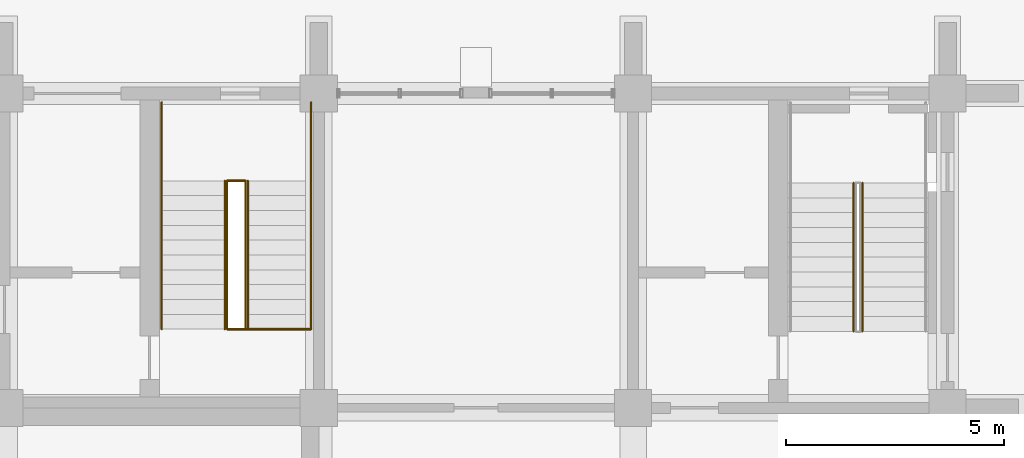
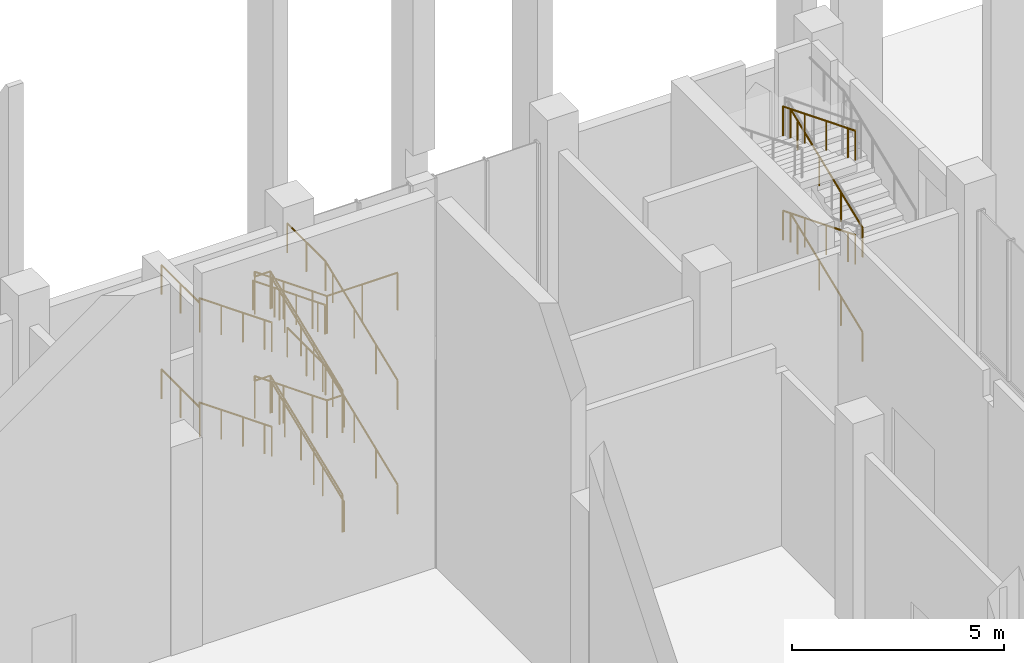
# One storey, part 49 of 50: 12 railings.
"""IFC4 building model written with IfcOpenShell, lengths in metres."""

from ifc_helpers import new_model, si_unit, direction, frame, origin, origin_2d, place, context, subcontext, project, spatial, circle, extrude, material, type_object, element, save


model = new_model("IFC4")

# Units and contexts
model_context = context("Model", 3, precision=1e-05, world=origin(), true_north=direction((0.0, 1.0)))
body_context = subcontext(model_context, "Body", "Model", "MODEL_VIEW")
ifc_project = project(units=[si_unit("LENGTHUNIT", "METRE"), si_unit("AREAUNIT", "SQUARE_METRE"), si_unit("VOLUMEUNIT", "CUBIC_METRE"), si_unit("PLANEANGLEUNIT", "RADIAN"), si_unit("MASSUNIT", "GRAM", prefix="KILO")], contexts=[model_context])

# Site, building, storey
site_placement = place(None, origin())
site = spatial("IfcSite", under=ifc_project, at=site_placement, CompositionType="ELEMENT")
building_placement = place(site_placement, origin())
building = spatial("IfcBuilding", under=site, at=building_placement, Name="Silangan Lancet Faculty of Sciences", CompositionType="ELEMENT")
storey_placement = place(building_placement, origin())
storey = spatial("IfcBuildingStorey", under=building, at=storey_placement, Name="L00", CompositionType="ELEMENT", Elevation=0.0)

# Railings
ifc_material_1 = material(Name="Steel balustrade", Category="steel")
railing_type_1 = type_object("IfcRailingType", Name="STAIR GUARD 1100", PredefinedType="GUARDRAIL", material=ifc_material_1)
railing_1_placement = place(storey_placement, frame((70.324951171875, 52.199951171875, 0.136474609375)))
element("IfcRailing", 1, at=railing_1_placement, inside=storey, type_object=railing_type_1, Name="GUARD-NAB-B-L00", PredefinedType="GUARDRAIL", context=body_context, shape_type="SweptSolid", body=[
    extrude(circle(Radius=0.02392578125, at=origin_2d()), frame((0.0, 0.0, 1.076171875), z_axis=(0.0, 0.928154623156, 0.372194835421), x_axis=(-1.0, 0.0, 0.0)), (0.0, 0.0, 1.0), 1.46533203125),
    extrude(circle(Radius=0.02392578125, at=origin_2d()), frame((0.0, 1.360107421875, 1.62158203125), z_axis=(0.0, 0.928131538224, 0.372252397916), x_axis=(-1.0, 0.0, 0.0)), (0.0, 0.0, 1.0), 1.465087890625),
    extrude(circle(Radius=0.02392578125, at=origin_2d()), frame((0.0, 2.719970703125, 2.1669921875), z_axis=(0.0, 0.928177697381, 0.372137289295), x_axis=(-1.0, 0.0, 0.0)), (0.0, 0.0, 1.0), 0.73291015625),
    extrude(circle(Radius=0.02392578125, at=origin_2d()), frame((0.0, 3.400146484375, 2.439453125), z_axis=(-1.0, 0.0, 0.0), x_axis=(0.0, -1.0, 0.0)), (0.0, 0.0, 1.0), 0.425048828125),
    extrude(circle(Radius=0.02392578125, at=origin_2d()), frame((-0.425048828125, 3.400146484375, 2.439453125), z_axis=(0.0, 0.0, 1.0), x_axis=(1.0, 0.0, 0.0)), (0.0, 0.0, 1.0), 0.136474609375),
    extrude(circle(Radius=0.02392578125, at=origin_2d()), frame((-0.425048828125, 3.400146484375, 2.576171875), z_axis=(0.0, -0.928154623156, 0.372194835421), x_axis=(1.0, 0.0, 0.0)), (0.0, 0.0, 1.0), 1.46533203125),
    extrude(circle(Radius=0.02392578125, at=origin_2d()), frame((-0.425048828125, 2.0400390625, 3.12158203125), z_axis=(0.0, -0.928154623156, 0.372194835421), x_axis=(1.0, 0.0, 0.0)), (0.0, 0.0, 1.0), 1.46533203125),
    extrude(circle(Radius=0.02392578125, at=origin_2d()), frame((-0.425048828125, 0.679931640625, 3.6669921875), z_axis=(0.0, -0.928131538224, 0.372252397916), x_axis=(1.0, 0.0, 0.0)), (0.0, 0.0, 1.0), 0.732666015625),
    extrude(circle(Radius=0.02392578125, at=origin_2d()), frame((-0.425048828125, 0.0, 3.939453125), z_axis=(1.0, 0.0, 0.0), x_axis=(0.0, 1.0, 0.0)), (0.0, 0.0, 1.0), 0.425048828125),
    extrude(circle(Radius=0.02392578125, at=origin_2d()), frame((0.0, 0.0, 3.939453125), z_axis=(0.0, 0.0, 1.0), x_axis=(1.0, 0.0, 0.0)), (0.0, 0.0, 1.0), 0.136474609375),
    extrude(circle(Radius=0.02392578125, at=origin_2d()), frame((0.0, 0.0, 4.076171875), z_axis=(0.0, 0.928154623156, 0.372194835421), x_axis=(-1.0, 0.0, 0.0)), (0.0, 0.0, 1.0), 1.46533203125),
    extrude(circle(Radius=0.02392578125, at=origin_2d()), frame((0.0, 1.360107421875, 4.62158203125), z_axis=(0.0, 0.928131538224, 0.372252397916), x_axis=(-1.0, 0.0, 0.0)), (0.0, 0.0, 1.0), 1.465087890625),
    extrude(circle(Radius=0.02392578125, at=origin_2d()), frame((0.0, 2.719970703125, 5.1669921875), z_axis=(0.0, 0.928177697381, 0.372137289295), x_axis=(-1.0, 0.0, 0.0)), (0.0, 0.0, 1.0), 0.73291015625),
    extrude(circle(Radius=0.02392578125, at=origin_2d()), frame((0.0, 3.400146484375, 5.439453125), z_axis=(-1.0, 0.0, 0.0), x_axis=(0.0, -1.0, 0.0)), (0.0, 0.0, 1.0), 0.425048828125),
    extrude(circle(Radius=0.02392578125, at=origin_2d()), frame((-0.425048828125, 3.400146484375, 5.439453125), z_axis=(0.0, 0.0, 1.0), x_axis=(1.0, 0.0, 0.0)), (0.0, 0.0, 1.0), 0.136474609375),
    extrude(circle(Radius=0.02392578125, at=origin_2d()), frame((-0.425048828125, 3.400146484375, 5.576171875), z_axis=(0.0, -0.928154623156, 0.372194835421), x_axis=(1.0, 0.0, 0.0)), (0.0, 0.0, 1.0), 1.46533203125),
    extrude(circle(Radius=0.02392578125, at=origin_2d()), frame((-0.425048828125, 2.0400390625, 6.12158203125), z_axis=(0.0, -0.928154623156, 0.372194835421), x_axis=(1.0, 0.0, 0.0)), (0.0, 0.0, 1.0), 1.46533203125),
    extrude(circle(Radius=0.02392578125, at=origin_2d()), frame((-0.425048828125, 0.679931640625, 6.6669921875), z_axis=(0.0, -0.928131538224, 0.372252397916), x_axis=(1.0, 0.0, 0.0)), (0.0, 0.0, 1.0), 0.732666015625),
    extrude(circle(Radius=0.02392578125, at=origin_2d()), frame((-0.425048828125, 0.0, 6.939453125), z_axis=(1.0, 0.0, 0.0), x_axis=(0.0, 1.0, 0.0)), (0.0, 0.0, 1.0), 1.925048828125),
    extrude(circle(Radius=0.02099609375, at=origin_2d()), origin(), (0.0, 0.0, 1.0), 1.052001953125),
    extrude(circle(Radius=0.02099609375, at=origin_2d()), frame((0.0, 1.360107421875, 0.54541015625)), (0.0, 0.0, 1.0), 1.052001953125),
    extrude(circle(Radius=0.02099609375, at=origin_2d()), frame((0.0, 2.719970703125, 1.0908203125)), (0.0, 0.0, 1.0), 1.052001953125),
    extrude(circle(Radius=0.02099609375, at=origin_2d()), frame((0.0, 3.400146484375, 1.363525390625)), (0.0, 0.0, 1.0), 1.052001953125),
    extrude(circle(Radius=0.02099609375, at=origin_2d()), frame((-0.425048828125, 3.400146484375, 1.363525390625)), (0.0, 0.0, 1.0), 1.052001953125),
    extrude(circle(Radius=0.02099609375, at=origin_2d()), frame((-0.425048828125, 3.400146484375, 1.5)), (0.0, 0.0, 1.0), 1.052001953125),
    extrude(circle(Radius=0.02099609375, at=origin_2d()), frame((-0.425048828125, 2.0400390625, 2.04541015625)), (0.0, 0.0, 1.0), 1.052001953125),
    extrude(circle(Radius=0.02099609375, at=origin_2d()), frame((-0.425048828125, 0.679931640625, 2.5908203125)), (0.0, 0.0, 1.0), 1.052001953125),
    extrude(circle(Radius=0.02099609375, at=origin_2d()), frame((-0.425048828125, 0.0, 2.863525390625)), (0.0, 0.0, 1.0), 1.052001953125),
    extrude(circle(Radius=0.02099609375, at=origin_2d()), frame((0.0, 0.0, 2.863525390625)), (0.0, 0.0, 1.0), 1.052001953125),
    extrude(circle(Radius=0.02099609375, at=origin_2d()), frame((0.0, 0.0, 3.0)), (0.0, 0.0, 1.0), 1.052001953125),
    extrude(circle(Radius=0.02099609375, at=origin_2d()), frame((0.0, 1.360107421875, 3.54541015625)), (0.0, 0.0, 1.0), 1.052001953125),
    extrude(circle(Radius=0.02099609375, at=origin_2d()), frame((0.0, 2.719970703125, 4.0908203125)), (0.0, 0.0, 1.0), 1.052001953125),
    extrude(circle(Radius=0.02099609375, at=origin_2d()), frame((0.0, 3.400146484375, 4.363525390625)), (0.0, 0.0, 1.0), 1.052001953125),
    extrude(circle(Radius=0.02099609375, at=origin_2d()), frame((-0.425048828125, 3.400146484375, 4.363525390625)), (0.0, 0.0, 1.0), 1.052001953125),
    extrude(circle(Radius=0.02099609375, at=origin_2d()), frame((-0.425048828125, 3.400146484375, 4.5)), (0.0, 0.0, 1.0), 1.052001953125),
    extrude(circle(Radius=0.02099609375, at=origin_2d()), frame((-0.425048828125, 2.0400390625, 5.04541015625)), (0.0, 0.0, 1.0), 1.052001953125),
    extrude(circle(Radius=0.02099609375, at=origin_2d()), frame((-0.425048828125, 0.679931640625, 5.5908203125)), (0.0, 0.0, 1.0), 1.052001953125),
    extrude(circle(Radius=0.02099609375, at=origin_2d()), frame((-0.425048828125, 0.0, 5.863525390625)), (0.0, 0.0, 1.0), 1.052001953125),
    extrude(circle(Radius=0.02099609375, at=origin_2d()), frame((0.53759765625, 0.0, 5.863525390625)), (0.0, 0.0, 1.0), 1.052001953125),
    extrude(circle(Radius=0.02099609375, at=origin_2d()), frame((1.5, 0.0, 5.863525390625)), (0.0, 0.0, 1.0), 1.052001953125),
])
ifc_material_2 = material(Name="Stainless steel", Category="steel")
railing_type_2 = type_object("IfcRailingType", Name="STAIR HANDRAIL 865", PredefinedType="HANDRAIL", material=ifc_material_2)
railing_2_placement = place(storey_placement, frame((84.449951171875, 52.14990234375, 0.136474609375)))
element("IfcRailing", 2, at=railing_2_placement, inside=storey, type_object=railing_type_2, Name="HANDRAIL-EB-B-L00-I1", PredefinedType="HANDRAIL", context=body_context, shape_type="SweptSolid", body=[
    extrude(circle(Radius=0.02392578125, at=origin_2d()), frame((0.0, 0.0, 0.8408203125), z_axis=(0.0, 0.9281852992, 0.372118328425), x_axis=(-1.0, 0.0, 0.0)), (0.0, 0.0, 1.0), 1.098876953125),
    extrude(circle(Radius=0.02392578125, at=origin_2d()), frame((0.0, 1.02001953125, 1.25), z_axis=(0.0, 0.928108552846, 0.372309701908), x_axis=(-1.0, 0.0, 0.0)), (0.0, 0.0, 1.0), 1.09912109375),
    extrude(circle(Radius=0.02392578125, at=origin_2d()), frame((0.0, 2.0400390625, 1.6591796875), z_axis=(0.0, 0.9281852992, 0.372118328425), x_axis=(-1.0, 0.0, 0.0)), (0.0, 0.0, 1.0), 1.098876953125),
    extrude(circle(Radius=0.02392578125, at=origin_2d()), frame((0.0, 3.06005859375, 2.06787109375), z_axis=(0.0, 0.928062591398, 0.372424255988), x_axis=(-1.0, 0.0, 0.0)), (0.0, 0.0, 1.0), 0.366455078125),
    extrude(circle(Radius=0.02099609375, at=origin_2d()), origin(), (0.0, 0.0, 1.0), 0.81689453125),
    extrude(circle(Radius=0.02099609375, at=origin_2d()), frame((0.0, 1.02001953125, 0.408935546875)), (0.0, 0.0, 1.0), 0.81689453125),
    extrude(circle(Radius=0.02099609375, at=origin_2d()), frame((0.0, 2.0400390625, 0.818115234375)), (0.0, 0.0, 1.0), 0.81689453125),
    extrude(circle(Radius=0.02099609375, at=origin_2d()), frame((0.0, 3.06005859375, 1.22705078125)), (0.0, 0.0, 1.0), 0.81689453125),
    extrude(circle(Radius=0.02099609375, at=origin_2d()), frame((0.0, 3.400146484375, 1.363525390625)), (0.0, 0.0, 1.0), 0.81689453125),
])
railing_3_placement = place(storey_placement, frame((84.25, 55.550048828125, 1.636474609375)))
element("IfcRailing", 3, at=railing_3_placement, inside=storey, type_object=railing_type_2, Name="HANDRAIL-EB-B-L00-I2", PredefinedType="HANDRAIL", context=body_context, shape_type="SweptSolid", body=[
    extrude(circle(Radius=0.02392578125, at=origin_2d()), frame((0.0, 0.0, 0.8408203125), z_axis=(0.0, -0.9281852992, 0.372118328425), x_axis=(1.0, 0.0, 0.0)), (0.0, 0.0, 1.0), 1.098876953125),
    extrude(circle(Radius=0.02392578125, at=origin_2d()), frame((0.0, -1.02001953125, 1.25), z_axis=(0.0, -0.928108552846, 0.372309701908), x_axis=(1.0, 0.0, 0.0)), (0.0, 0.0, 1.0), 1.09912109375),
    extrude(circle(Radius=0.02392578125, at=origin_2d()), frame((0.0, -2.0400390625, 1.6591796875), z_axis=(0.0, -0.9281852992, 0.372118328425), x_axis=(1.0, 0.0, 0.0)), (0.0, 0.0, 1.0), 1.098876953125),
    extrude(circle(Radius=0.02392578125, at=origin_2d()), frame((0.0, -3.06005859375, 2.06787109375), z_axis=(0.0, -0.928062591398, 0.372424255988), x_axis=(1.0, 0.0, 0.0)), (0.0, 0.0, 1.0), 0.366455078125),
    extrude(circle(Radius=0.02099609375, at=origin_2d()), origin(), (0.0, 0.0, 1.0), 0.81689453125),
    extrude(circle(Radius=0.02099609375, at=origin_2d()), frame((0.0, -1.02001953125, 0.408935546875)), (0.0, 0.0, 1.0), 0.81689453125),
    extrude(circle(Radius=0.02099609375, at=origin_2d()), frame((0.0, -2.0400390625, 0.818115234375)), (0.0, 0.0, 1.0), 0.81689453125),
    extrude(circle(Radius=0.02099609375, at=origin_2d()), frame((0.0, -3.06005859375, 1.22705078125)), (0.0, 0.0, 1.0), 0.81689453125),
    extrude(circle(Radius=0.02099609375, at=origin_2d()), frame((0.0, -3.400146484375, 1.363525390625)), (0.0, 0.0, 1.0), 0.81689453125),
])
railing_4_placement = place(storey_placement, frame((84.449951171875, 52.14990234375, 3.136474609375)))
element("IfcRailing", 4, at=railing_4_placement, inside=storey, type_object=railing_type_2, Name="HANDRAIL-EB-B-L00-I3", PredefinedType="HANDRAIL", context=body_context, shape_type="SweptSolid", body=[
    extrude(circle(Radius=0.02392578125, at=origin_2d()), frame((0.0, 0.0, 0.8408203125), z_axis=(0.0, 0.9281852992, 0.372118328425), x_axis=(-1.0, 0.0, 0.0)), (0.0, 0.0, 1.0), 1.098876953125),
    extrude(circle(Radius=0.02392578125, at=origin_2d()), frame((0.0, 1.02001953125, 1.25), z_axis=(0.0, 0.928108552846, 0.372309701908), x_axis=(-1.0, 0.0, 0.0)), (0.0, 0.0, 1.0), 1.09912109375),
    extrude(circle(Radius=0.02392578125, at=origin_2d()), frame((0.0, 2.0400390625, 1.6591796875), z_axis=(0.0, 0.9281852992, 0.372118328425), x_axis=(-1.0, 0.0, 0.0)), (0.0, 0.0, 1.0), 1.098876953125),
    extrude(circle(Radius=0.02392578125, at=origin_2d()), frame((0.0, 3.06005859375, 2.06787109375), z_axis=(0.0, 0.928062591398, 0.372424255988), x_axis=(-1.0, 0.0, 0.0)), (0.0, 0.0, 1.0), 0.366455078125),
    extrude(circle(Radius=0.02099609375, at=origin_2d()), origin(), (0.0, 0.0, 1.0), 0.81689453125),
    extrude(circle(Radius=0.02099609375, at=origin_2d()), frame((0.0, 1.02001953125, 0.408935546875)), (0.0, 0.0, 1.0), 0.81689453125),
    extrude(circle(Radius=0.02099609375, at=origin_2d()), frame((0.0, 2.0400390625, 0.818115234375)), (0.0, 0.0, 1.0), 0.81689453125),
    extrude(circle(Radius=0.02099609375, at=origin_2d()), frame((0.0, 3.06005859375, 1.22705078125)), (0.0, 0.0, 1.0), 0.81689453125),
    extrude(circle(Radius=0.02099609375, at=origin_2d()), frame((0.0, 3.400146484375, 1.363525390625)), (0.0, 0.0, 1.0), 0.81689453125),
])
railing_5_placement = place(storey_placement, frame((84.25, 55.550048828125, 4.636474609375)))
element("IfcRailing", 5, at=railing_5_placement, inside=storey, type_object=railing_type_2, Name="HANDRAIL-EB-B-L00-I4", PredefinedType="HANDRAIL", context=body_context, shape_type="SweptSolid", body=[
    extrude(circle(Radius=0.02392578125, at=origin_2d()), frame((0.0, 0.0, 0.8408203125), z_axis=(0.0, -0.9281852992, 0.372118328425), x_axis=(1.0, 0.0, 0.0)), (0.0, 0.0, 1.0), 1.098876953125),
    extrude(circle(Radius=0.02392578125, at=origin_2d()), frame((0.0, -1.02001953125, 1.25), z_axis=(0.0, -0.928108552846, 0.372309701908), x_axis=(1.0, 0.0, 0.0)), (0.0, 0.0, 1.0), 1.09912109375),
    extrude(circle(Radius=0.02392578125, at=origin_2d()), frame((0.0, -2.0400390625, 1.6591796875), z_axis=(0.0, -0.9281852992, 0.372118328425), x_axis=(1.0, 0.0, 0.0)), (0.0, 0.0, 1.0), 1.098876953125),
    extrude(circle(Radius=0.02392578125, at=origin_2d()), frame((0.0, -3.06005859375, 2.06787109375), z_axis=(0.0, -0.928062591398, 0.372424255988), x_axis=(1.0, 0.0, 0.0)), (0.0, 0.0, 1.0), 0.366455078125),
    extrude(circle(Radius=0.02099609375, at=origin_2d()), origin(), (0.0, 0.0, 1.0), 0.81689453125),
    extrude(circle(Radius=0.02099609375, at=origin_2d()), frame((0.0, -1.02001953125, 0.408935546875)), (0.0, 0.0, 1.0), 0.81689453125),
    extrude(circle(Radius=0.02099609375, at=origin_2d()), frame((0.0, -2.0400390625, 0.818115234375)), (0.0, 0.0, 1.0), 0.81689453125),
    extrude(circle(Radius=0.02099609375, at=origin_2d()), frame((0.0, -3.06005859375, 1.22705078125)), (0.0, 0.0, 1.0), 0.81689453125),
    extrude(circle(Radius=0.02099609375, at=origin_2d()), frame((0.0, -3.400146484375, 1.363525390625)), (0.0, 0.0, 1.0), 0.81689453125),
])
railing_6_placement = place(storey_placement, frame((71.824951171875, 52.199951171875, 0.136474609375)))
element("IfcRailing", 6, at=railing_6_placement, inside=storey, type_object=railing_type_2, Name="HANDRAIL-NAB-B-L00-O1", PredefinedType="HANDRAIL", context=body_context, shape_type="SweptSolid", body=[
    extrude(circle(Radius=0.02392578125, at=origin_2d()), frame((0.0, 0.0, 0.8408203125), z_axis=(0.0, 0.9281852992, 0.372118328425), x_axis=(-1.0, 0.0, 0.0)), (0.0, 0.0, 1.0), 1.098876953125),
    extrude(circle(Radius=0.02392578125, at=origin_2d()), frame((0.0, 1.02001953125, 1.25), z_axis=(0.0, 0.928108552846, 0.372309701908), x_axis=(-1.0, 0.0, 0.0)), (0.0, 0.0, 1.0), 1.09912109375),
    extrude(circle(Radius=0.02392578125, at=origin_2d()), frame((0.0, 2.0400390625, 1.6591796875), z_axis=(0.0, 0.9281852992, 0.372118328425), x_axis=(-1.0, 0.0, 0.0)), (0.0, 0.0, 1.0), 1.098876953125),
    extrude(circle(Radius=0.02392578125, at=origin_2d()), frame((0.0, 3.06005859375, 2.06787109375), z_axis=(0.0, 0.928062591398, 0.372424255988), x_axis=(-1.0, 0.0, 0.0)), (0.0, 0.0, 1.0), 0.366455078125),
    extrude(circle(Radius=0.02392578125, at=origin_2d()), frame((0.0, 3.400146484375, 2.20458984375), z_axis=(0.0, 1.0, 0.0), x_axis=(-1.0, 0.0, 0.0)), (0.0, 0.0, 1.0), 1.7998046875),
    extrude(circle(Radius=0.02099609375, at=origin_2d()), origin(), (0.0, 0.0, 1.0), 0.81689453125),
    extrude(circle(Radius=0.02099609375, at=origin_2d()), frame((0.0, 1.02001953125, 0.408935546875)), (0.0, 0.0, 1.0), 0.81689453125),
    extrude(circle(Radius=0.02099609375, at=origin_2d()), frame((0.0, 2.0400390625, 0.818115234375)), (0.0, 0.0, 1.0), 0.81689453125),
    extrude(circle(Radius=0.02099609375, at=origin_2d()), frame((0.0, 3.06005859375, 1.22705078125)), (0.0, 0.0, 1.0), 0.81689453125),
    extrude(circle(Radius=0.02099609375, at=origin_2d()), frame((0.0, 3.400146484375, 1.363525390625)), (0.0, 0.0, 1.0), 0.81689453125),
    extrude(circle(Radius=0.02099609375, at=origin_2d()), frame((0.0, 4.300048828125, 1.363525390625)), (0.0, 0.0, 1.0), 0.81689453125),
    extrude(circle(Radius=0.02099609375, at=origin_2d()), frame((0.0, 5.199951171875, 1.363525390625)), (0.0, 0.0, 1.0), 0.81689453125),
])
railing_7_placement = place(storey_placement, frame((70.375, 52.199951171875, 0.136474609375)))
element("IfcRailing", 7, at=railing_7_placement, inside=storey, type_object=railing_type_2, Name="HANDRAIL-NAB-B-L00-I1", PredefinedType="HANDRAIL", context=body_context, shape_type="SweptSolid", body=[
    extrude(circle(Radius=0.02392578125, at=origin_2d()), frame((0.0, 0.0, 0.8408203125), z_axis=(0.0, 0.9281852992, 0.372118328425), x_axis=(-1.0, 0.0, 0.0)), (0.0, 0.0, 1.0), 1.098876953125),
    extrude(circle(Radius=0.02392578125, at=origin_2d()), frame((0.0, 1.02001953125, 1.25), z_axis=(0.0, 0.928108552846, 0.372309701908), x_axis=(-1.0, 0.0, 0.0)), (0.0, 0.0, 1.0), 1.09912109375),
    extrude(circle(Radius=0.02392578125, at=origin_2d()), frame((0.0, 2.0400390625, 1.6591796875), z_axis=(0.0, 0.9281852992, 0.372118328425), x_axis=(-1.0, 0.0, 0.0)), (0.0, 0.0, 1.0), 1.098876953125),
    extrude(circle(Radius=0.02392578125, at=origin_2d()), frame((0.0, 3.06005859375, 2.06787109375), z_axis=(0.0, 0.928062591398, 0.372424255988), x_axis=(-1.0, 0.0, 0.0)), (0.0, 0.0, 1.0), 0.366455078125),
    extrude(circle(Radius=0.02099609375, at=origin_2d()), origin(), (0.0, 0.0, 1.0), 0.81689453125),
    extrude(circle(Radius=0.02099609375, at=origin_2d()), frame((0.0, 1.02001953125, 0.408935546875)), (0.0, 0.0, 1.0), 0.81689453125),
    extrude(circle(Radius=0.02099609375, at=origin_2d()), frame((0.0, 2.0400390625, 0.818115234375)), (0.0, 0.0, 1.0), 0.81689453125),
    extrude(circle(Radius=0.02099609375, at=origin_2d()), frame((0.0, 3.06005859375, 1.22705078125)), (0.0, 0.0, 1.0), 0.81689453125),
    extrude(circle(Radius=0.02099609375, at=origin_2d()), frame((0.0, 3.400146484375, 1.363525390625)), (0.0, 0.0, 1.0), 0.81689453125),
])
railing_8_placement = place(storey_placement, frame((68.39990234375, 57.39990234375, 1.5)))
element("IfcRailing", 8, at=railing_8_placement, inside=storey, type_object=railing_type_2, Name="HANDRAIL-NAB-B-L00-O2", PredefinedType="HANDRAIL", context=body_context, shape_type="SweptSolid", body=[
    extrude(circle(Radius=0.02392578125, at=origin_2d()), frame((0.0, 0.0, 0.8408203125), z_axis=(0.0, -1.0, 0.0), x_axis=(1.0, 0.0, 0.0)), (0.0, 0.0, 1.0), 1.7998046875),
    extrude(circle(Radius=0.02392578125, at=origin_2d()), frame((0.0, -1.7998046875, 0.8408203125), z_axis=(0.0, 0.0, 1.0), x_axis=(1.0, 0.0, 0.0)), (0.0, 0.0, 1.0), 0.136474609375),
    extrude(circle(Radius=0.02392578125, at=origin_2d()), frame((0.0, -1.7998046875, 0.9775390625), z_axis=(0.0, -0.9281852992, 0.372118328425), x_axis=(1.0, 0.0, 0.0)), (0.0, 0.0, 1.0), 1.098876953125),
    extrude(circle(Radius=0.02392578125, at=origin_2d()), frame((0.0, -2.81982421875, 1.38623046875), z_axis=(0.0, -0.928108552846, 0.372309701908), x_axis=(1.0, 0.0, 0.0)), (0.0, 0.0, 1.0), 1.09912109375),
    extrude(circle(Radius=0.02392578125, at=origin_2d()), frame((0.0, -3.83984375, 1.79541015625), z_axis=(0.0, -0.9281852992, 0.372118328425), x_axis=(1.0, 0.0, 0.0)), (0.0, 0.0, 1.0), 1.098876953125),
    extrude(circle(Radius=0.02392578125, at=origin_2d()), frame((0.0, -4.85986328125, 2.20458984375), z_axis=(0.0, -0.928062591398, 0.372424255988), x_axis=(1.0, 0.0, 0.0)), (0.0, 0.0, 1.0), 0.366455078125),
    extrude(circle(Radius=0.02099609375, at=origin_2d()), origin(), (0.0, 0.0, 1.0), 0.81689453125),
    extrude(circle(Radius=0.02099609375, at=origin_2d()), frame((0.0, -0.89990234375, 0.0)), (0.0, 0.0, 1.0), 0.81689453125),
    extrude(circle(Radius=0.02099609375, at=origin_2d()), frame((0.0, -1.7998046875, 0.0)), (0.0, 0.0, 1.0), 0.81689453125),
    extrude(circle(Radius=0.02099609375, at=origin_2d()), frame((0.0, -1.7998046875, 0.136474609375)), (0.0, 0.0, 1.0), 0.81689453125),
    extrude(circle(Radius=0.02099609375, at=origin_2d()), frame((0.0, -2.81982421875, 0.54541015625)), (0.0, 0.0, 1.0), 0.81689453125),
    extrude(circle(Radius=0.02099609375, at=origin_2d()), frame((0.0, -3.83984375, 0.95458984375)), (0.0, 0.0, 1.0), 0.81689453125),
    extrude(circle(Radius=0.02099609375, at=origin_2d()), frame((0.0, -4.85986328125, 1.363525390625)), (0.0, 0.0, 1.0), 0.81689453125),
    extrude(circle(Radius=0.02099609375, at=origin_2d()), frame((0.0, -5.199951171875, 1.5)), (0.0, 0.0, 1.0), 0.81689453125),
])
railing_9_placement = place(storey_placement, frame((71.824951171875, 52.199951171875, 3.136474609375)))
element("IfcRailing", 9, at=railing_9_placement, inside=storey, type_object=railing_type_2, Name="HANDRAIL-NAB-B-L00-O3", PredefinedType="HANDRAIL", context=body_context, shape_type="SweptSolid", body=[
    extrude(circle(Radius=0.02392578125, at=origin_2d()), frame((0.0, 0.0, 0.8408203125), z_axis=(0.0, 0.9281852992, 0.372118328425), x_axis=(-1.0, 0.0, 0.0)), (0.0, 0.0, 1.0), 1.098876953125),
    extrude(circle(Radius=0.02392578125, at=origin_2d()), frame((0.0, 1.02001953125, 1.25), z_axis=(0.0, 0.928108552846, 0.372309701908), x_axis=(-1.0, 0.0, 0.0)), (0.0, 0.0, 1.0), 1.09912109375),
    extrude(circle(Radius=0.02392578125, at=origin_2d()), frame((0.0, 2.0400390625, 1.6591796875), z_axis=(0.0, 0.9281852992, 0.372118328425), x_axis=(-1.0, 0.0, 0.0)), (0.0, 0.0, 1.0), 1.098876953125),
    extrude(circle(Radius=0.02392578125, at=origin_2d()), frame((0.0, 3.06005859375, 2.06787109375), z_axis=(0.0, 0.928062591398, 0.372424255988), x_axis=(-1.0, 0.0, 0.0)), (0.0, 0.0, 1.0), 0.366455078125),
    extrude(circle(Radius=0.02392578125, at=origin_2d()), frame((0.0, 3.400146484375, 2.20458984375), z_axis=(0.0, 1.0, 0.0), x_axis=(-1.0, 0.0, 0.0)), (0.0, 0.0, 1.0), 1.7998046875),
    extrude(circle(Radius=0.02099609375, at=origin_2d()), origin(), (0.0, 0.0, 1.0), 0.81689453125),
    extrude(circle(Radius=0.02099609375, at=origin_2d()), frame((0.0, 1.02001953125, 0.408935546875)), (0.0, 0.0, 1.0), 0.81689453125),
    extrude(circle(Radius=0.02099609375, at=origin_2d()), frame((0.0, 2.0400390625, 0.818115234375)), (0.0, 0.0, 1.0), 0.81689453125),
    extrude(circle(Radius=0.02099609375, at=origin_2d()), frame((0.0, 3.06005859375, 1.22705078125)), (0.0, 0.0, 1.0), 0.81689453125),
    extrude(circle(Radius=0.02099609375, at=origin_2d()), frame((0.0, 3.400146484375, 1.363525390625)), (0.0, 0.0, 1.0), 0.81689453125),
    extrude(circle(Radius=0.02099609375, at=origin_2d()), frame((0.0, 4.300048828125, 1.363525390625)), (0.0, 0.0, 1.0), 0.81689453125),
    extrude(circle(Radius=0.02099609375, at=origin_2d()), frame((0.0, 5.199951171875, 1.363525390625)), (0.0, 0.0, 1.0), 0.81689453125),
])
railing_10_placement = place(storey_placement, frame((70.375, 52.199951171875, 3.136474609375)))
element("IfcRailing", 10, at=railing_10_placement, inside=storey, type_object=railing_type_2, Name="HANDRAIL-NAB-B-L00-I3", PredefinedType="HANDRAIL", context=body_context, shape_type="SweptSolid", body=[
    extrude(circle(Radius=0.02392578125, at=origin_2d()), frame((0.0, 0.0, 0.8408203125), z_axis=(0.0, 0.9281852992, 0.372118328425), x_axis=(-1.0, 0.0, 0.0)), (0.0, 0.0, 1.0), 1.098876953125),
    extrude(circle(Radius=0.02392578125, at=origin_2d()), frame((0.0, 1.02001953125, 1.25), z_axis=(0.0, 0.928108552846, 0.372309701908), x_axis=(-1.0, 0.0, 0.0)), (0.0, 0.0, 1.0), 1.09912109375),
    extrude(circle(Radius=0.02392578125, at=origin_2d()), frame((0.0, 2.0400390625, 1.6591796875), z_axis=(0.0, 0.9281852992, 0.372118328425), x_axis=(-1.0, 0.0, 0.0)), (0.0, 0.0, 1.0), 1.098876953125),
    extrude(circle(Radius=0.02392578125, at=origin_2d()), frame((0.0, 3.06005859375, 2.06787109375), z_axis=(0.0, 0.928062591398, 0.372424255988), x_axis=(-1.0, 0.0, 0.0)), (0.0, 0.0, 1.0), 0.366455078125),
    extrude(circle(Radius=0.02099609375, at=origin_2d()), origin(), (0.0, 0.0, 1.0), 0.81689453125),
    extrude(circle(Radius=0.02099609375, at=origin_2d()), frame((0.0, 1.02001953125, 0.408935546875)), (0.0, 0.0, 1.0), 0.81689453125),
    extrude(circle(Radius=0.02099609375, at=origin_2d()), frame((0.0, 2.0400390625, 0.818115234375)), (0.0, 0.0, 1.0), 0.81689453125),
    extrude(circle(Radius=0.02099609375, at=origin_2d()), frame((0.0, 3.06005859375, 1.22705078125)), (0.0, 0.0, 1.0), 0.81689453125),
    extrude(circle(Radius=0.02099609375, at=origin_2d()), frame((0.0, 3.400146484375, 1.363525390625)), (0.0, 0.0, 1.0), 0.81689453125),
])
railing_11_placement = place(storey_placement, frame((68.39990234375, 57.39990234375, 4.5)))
element("IfcRailing", 11, at=railing_11_placement, inside=storey, type_object=railing_type_2, Name="HANDRAIL-NAB-B-L00-O4", PredefinedType="HANDRAIL", context=body_context, shape_type="SweptSolid", body=[
    extrude(circle(Radius=0.02392578125, at=origin_2d()), frame((0.0, 0.0, 0.8408203125), z_axis=(0.0, -1.0, 0.0), x_axis=(1.0, 0.0, 0.0)), (0.0, 0.0, 1.0), 1.7998046875),
    extrude(circle(Radius=0.02392578125, at=origin_2d()), frame((0.0, -1.7998046875, 0.8408203125), z_axis=(0.0, 0.0, 1.0), x_axis=(1.0, 0.0, 0.0)), (0.0, 0.0, 1.0), 0.136474609375),
    extrude(circle(Radius=0.02392578125, at=origin_2d()), frame((0.0, -1.7998046875, 0.9775390625), z_axis=(0.0, -0.9281852992, 0.372118328425), x_axis=(1.0, 0.0, 0.0)), (0.0, 0.0, 1.0), 1.098876953125),
    extrude(circle(Radius=0.02392578125, at=origin_2d()), frame((0.0, -2.81982421875, 1.38623046875), z_axis=(0.0, -0.928108552846, 0.372309701908), x_axis=(1.0, 0.0, 0.0)), (0.0, 0.0, 1.0), 1.09912109375),
    extrude(circle(Radius=0.02392578125, at=origin_2d()), frame((0.0, -3.83984375, 1.79541015625), z_axis=(0.0, -0.9281852992, 0.372118328425), x_axis=(1.0, 0.0, 0.0)), (0.0, 0.0, 1.0), 1.098876953125),
    extrude(circle(Radius=0.02392578125, at=origin_2d()), frame((0.0, -4.85986328125, 2.20458984375), z_axis=(0.0, -0.928062591398, 0.372424255988), x_axis=(1.0, 0.0, 0.0)), (0.0, 0.0, 1.0), 0.366455078125),
    extrude(circle(Radius=0.02099609375, at=origin_2d()), origin(), (0.0, 0.0, 1.0), 0.81689453125),
    extrude(circle(Radius=0.02099609375, at=origin_2d()), frame((0.0, -0.89990234375, 0.0)), (0.0, 0.0, 1.0), 0.81689453125),
    extrude(circle(Radius=0.02099609375, at=origin_2d()), frame((0.0, -1.7998046875, 0.0)), (0.0, 0.0, 1.0), 0.81689453125),
    extrude(circle(Radius=0.02099609375, at=origin_2d()), frame((0.0, -1.7998046875, 0.136474609375)), (0.0, 0.0, 1.0), 0.81689453125),
    extrude(circle(Radius=0.02099609375, at=origin_2d()), frame((0.0, -2.81982421875, 0.54541015625)), (0.0, 0.0, 1.0), 0.81689453125),
    extrude(circle(Radius=0.02099609375, at=origin_2d()), frame((0.0, -3.83984375, 0.95458984375)), (0.0, 0.0, 1.0), 0.81689453125),
    extrude(circle(Radius=0.02099609375, at=origin_2d()), frame((0.0, -4.85986328125, 1.363525390625)), (0.0, 0.0, 1.0), 0.81689453125),
    extrude(circle(Radius=0.02099609375, at=origin_2d()), frame((0.0, -5.199951171875, 1.5)), (0.0, 0.0, 1.0), 0.81689453125),
])
railing_12_placement = place(storey_placement, frame((69.85009765625, 55.60009765625, 4.636474609375)))
element("IfcRailing", 12, at=railing_12_placement, inside=storey, type_object=railing_type_2, Name="HANDRAIL-NAB-B-L00-I4", PredefinedType="HANDRAIL", context=body_context, shape_type="SweptSolid", body=[
    extrude(circle(Radius=0.02392578125, at=origin_2d()), frame((0.0, 0.0, 0.8408203125), z_axis=(0.0, -0.9281852992, 0.372118328425), x_axis=(1.0, 0.0, 0.0)), (0.0, 0.0, 1.0), 1.098876953125),
    extrude(circle(Radius=0.02392578125, at=origin_2d()), frame((0.0, -1.02001953125, 1.25), z_axis=(0.0, -0.928108552846, 0.372309701908), x_axis=(1.0, 0.0, 0.0)), (0.0, 0.0, 1.0), 1.09912109375),
    extrude(circle(Radius=0.02392578125, at=origin_2d()), frame((0.0, -2.0400390625, 1.6591796875), z_axis=(0.0, -0.9281852992, 0.372118328425), x_axis=(1.0, 0.0, 0.0)), (0.0, 0.0, 1.0), 1.098876953125),
    extrude(circle(Radius=0.02392578125, at=origin_2d()), frame((0.0, -3.06005859375, 2.06787109375), z_axis=(0.0, -0.928062591398, 0.372424255988), x_axis=(1.0, 0.0, 0.0)), (0.0, 0.0, 1.0), 0.366455078125),
    extrude(circle(Radius=0.02099609375, at=origin_2d()), origin(), (0.0, 0.0, 1.0), 0.81689453125),
    extrude(circle(Radius=0.02099609375, at=origin_2d()), frame((0.0, -1.02001953125, 0.408935546875)), (0.0, 0.0, 1.0), 0.81689453125),
    extrude(circle(Radius=0.02099609375, at=origin_2d()), frame((0.0, -2.0400390625, 0.818115234375)), (0.0, 0.0, 1.0), 0.81689453125),
    extrude(circle(Radius=0.02099609375, at=origin_2d()), frame((0.0, -3.06005859375, 1.22705078125)), (0.0, 0.0, 1.0), 0.81689453125),
    extrude(circle(Radius=0.02099609375, at=origin_2d()), frame((0.0, -3.400146484375, 1.363525390625)), (0.0, 0.0, 1.0), 0.81689453125),
])

save(model, "model.ifc")
